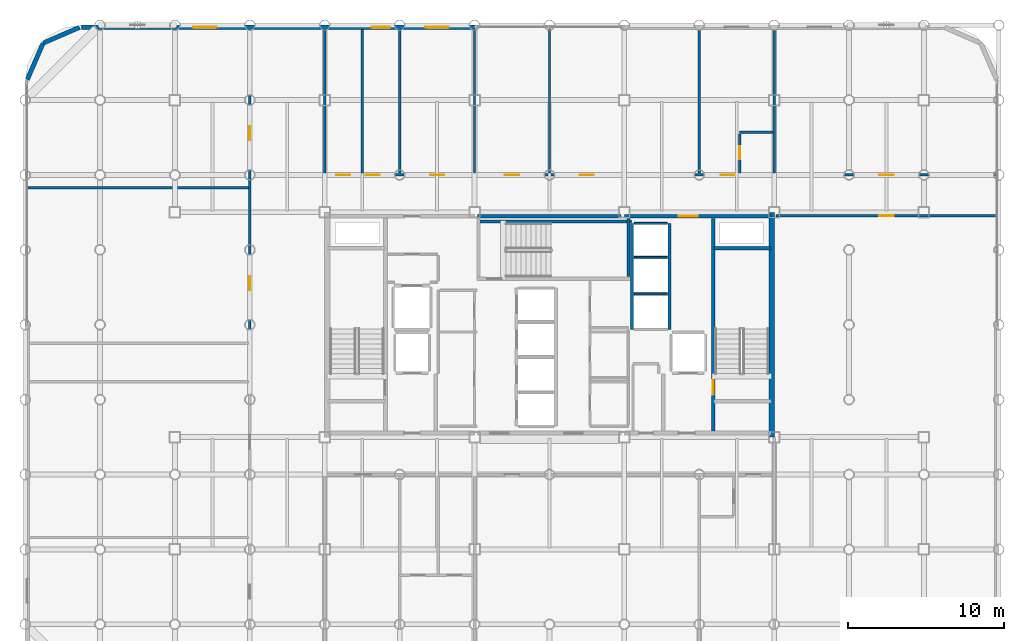
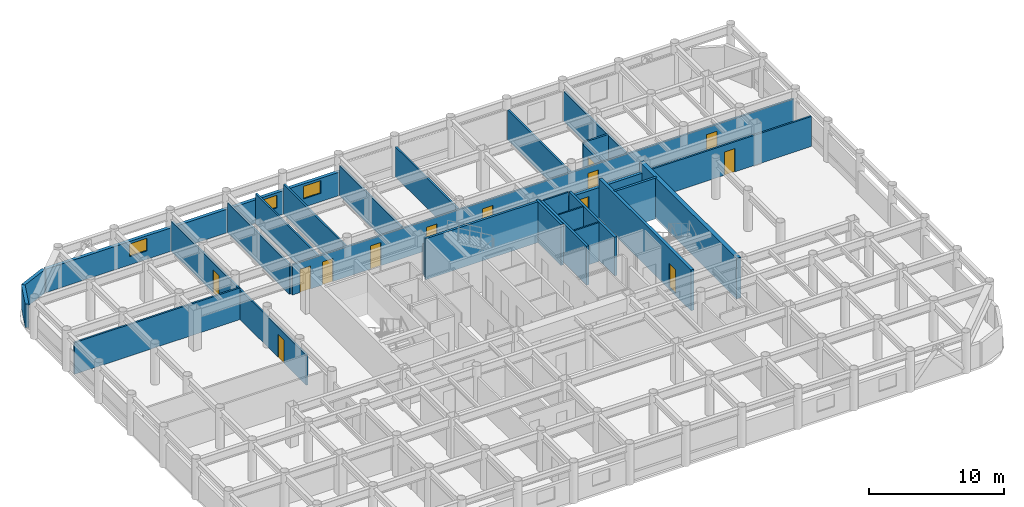
# One storey, part 18 of 20: 28 walls, 13 doors, 3 windows, 16 openings.
"""IFC4 building model written with IfcOpenShell, lengths in metres."""

from ifc_helpers import new_model, si_unit, direction, frame, frame_2d, origin, place, context, subcontext, project, spatial, rectangle, extrude, material, layer, layer_set, type_object, element, fill, save


model = new_model("IFC4")

# Units and contexts
model_context = context("Model", 3, precision=1e-05, world=origin(), true_north=direction((0.0, 1.0)))
body_context = subcontext(model_context, "Body", "Model", "MODEL_VIEW")
ifc_project = project(units=[si_unit("LENGTHUNIT", "METRE"), si_unit("AREAUNIT", "SQUARE_METRE"), si_unit("VOLUMEUNIT", "CUBIC_METRE"), si_unit("PLANEANGLEUNIT", "RADIAN"), si_unit("MASSUNIT", "GRAM", prefix="KILO")], contexts=[model_context])

# Site, building, storey
site_placement = place(None, origin())
site = spatial("IfcSite", under=ifc_project, at=site_placement, CompositionType="ELEMENT")
building_placement = place(site_placement, origin())
building = spatial("IfcBuilding", under=site, at=building_placement, Name="Kallvorn Hotel Tower", CompositionType="ELEMENT")
storey_placement = place(building_placement, frame((0.0, 0.0, 172.89990234375)))
storey = spatial("IfcBuildingStorey", under=building, at=storey_placement, Name="L43", CompositionType="ELEMENT", Elevation=172.89990234375)

# Wall
ifc_material_1 = material(Name="Concrete C50/60", Category="concrete")
ifc_layer_1 = layer(ifc_material_1, 0.35009765625)
ifc_layer_set_1 = layer_set([ifc_layer_1], Name="WL_CORE_350")
wall_type_1 = type_object("IfcWallType", Name="WL_CORE_350", PredefinedType="SHEAR", material=ifc_layer_set_1)
wall_1_placement = place(storey_placement, frame((14.239990234375, -7.199951171875, -0.179931640625), z_axis=(0.0, 0.0, 1.0), x_axis=(0.0, 1.0, 0.0)))
element("IfcWall", 1, at=wall_1_placement, inside=storey, type_object=wall_type_1, Name="L43 Core East Shear Wall", PredefinedType="SHEAR", context=body_context, shape_type="SweptSolid", body=[
    extrude(rectangle(XDim=14.39990234375, YDim=0.35009765625, at=frame_2d((7.199951171875, 0.0))), origin(), (0.0, 0.0, 1.0), 3.699951171875),
])

# Wall, openings, doors
ifc_material_2 = material(Name="Fire-rated double-layer acoustic gypsum drywall EI 60")
ifc_layer_2 = layer(ifc_material_2, 0.159912109375)
ifc_layer_set_2 = layer_set([ifc_layer_2], Name="WL_DEMISE_160")
wall_type_2 = type_object("IfcWallType", Name="WL_DEMISE_160", PredefinedType="PARTITIONING", material=ifc_layer_set_2)
wall_2_placement = place(storey_placement, frame((-14.320068359375, 9.60009765625, 0.0), z_axis=(0.0, 0.0, 1.0), x_axis=(1.0, 0.0, 0.0)))
wall_2 = element("IfcWall", 2, at=wall_2_placement, inside=storey, type_object=wall_type_2, Name="L43 Suite 4303 Standard Twin Room Partition", PredefinedType="PARTITIONING", context=body_context, shape_type="SweptSolid", body=[
    extrude(rectangle(XDim=42.949951171875, YDim=0.159912109375, at=frame_2d((21.47509765625, 0.0))), origin(), (0.0, 0.0, 1.0), 2.72021484375),
])
opening_1_placement = place(wall_2_placement, frame((35.469970703125, 0.0, 0.0)))
opening_1 = element("IfcOpeningElement", 3, at=opening_1_placement, cuts=wall_2, Name="Opening SVD1", PredefinedType="OPENING", context=body_context, shape_type="SweptSolid", body=[
    extrude(rectangle(XDim=0.89990234375, YDim=2.10009765625, at=frame_2d((0.449951171875, 1.050048828125))), frame((0.0, 0.094970703125, 0.0), z_axis=(0.0, -1.0, 0.0), x_axis=(1.0, 0.0, 0.0)), (0.0, 0.0, 1.0), 0.18994140625),
])
opening_2_placement = place(wall_2_placement, frame((0.669921875, 0.0, 0.0)))
opening_2 = element("IfcOpeningElement", 4, at=opening_2_placement, cuts=wall_2, Name="Opening SVD1", PredefinedType="OPENING", context=body_context, shape_type="SweptSolid", body=[
    extrude(rectangle(XDim=0.89990234375, YDim=2.10009765625, at=frame_2d((0.449951171875, 1.050048828125))), frame((0.0, 0.094970703125, 0.0), z_axis=(0.0, -1.0, 0.0), x_axis=(1.0, 0.0, 0.0)), (0.0, 0.0, 1.0), 0.18994140625),
])
opening_3_placement = place(wall_2_placement, frame((2.56005859375, 0.0, 0.0)))
opening_3 = element("IfcOpeningElement", 5, at=opening_3_placement, cuts=wall_2, Name="Opening SVD1", PredefinedType="OPENING", context=body_context, shape_type="SweptSolid", body=[
    extrude(rectangle(XDim=0.89990234375, YDim=2.10009765625, at=frame_2d((0.449951171875, 1.050048828125))), frame((0.0, 0.094970703125, 0.0), z_axis=(0.0, -1.0, 0.0), x_axis=(1.0, 0.0, 0.0)), (0.0, 0.0, 1.0), 0.18994140625),
])
opening_4_placement = place(wall_2_placement, frame((6.669921875, 0.0, 0.0)))
opening_4 = element("IfcOpeningElement", 6, at=opening_4_placement, cuts=wall_2, Name="Opening SVD1", PredefinedType="OPENING", context=body_context, shape_type="SweptSolid", body=[
    extrude(rectangle(XDim=0.89990234375, YDim=2.10009765625, at=frame_2d((0.449951171875, 1.050048828125))), frame((0.0, 0.094970703125, 0.0), z_axis=(0.0, -1.0, 0.0), x_axis=(1.0, 0.0, 0.0)), (0.0, 0.0, 1.0), 0.18994140625),
])
opening_5_placement = place(wall_2_placement, frame((11.469970703125, 0.0, 0.0)))
opening_5 = element("IfcOpeningElement", 7, at=opening_5_placement, cuts=wall_2, Name="Opening SVD1", PredefinedType="OPENING", context=body_context, shape_type="SweptSolid", body=[
    extrude(rectangle(XDim=0.89990234375, YDim=2.10009765625, at=frame_2d((0.449951171875, 1.050048828125))), frame((0.0, 0.094970703125, 0.0), z_axis=(0.0, -1.0, 0.0), x_axis=(1.0, 0.0, 0.0)), (0.0, 0.0, 1.0), 0.18994140625),
])
opening_6_placement = place(wall_2_placement, frame((16.27001953125, 0.0, 0.0)))
opening_6 = element("IfcOpeningElement", 8, at=opening_6_placement, cuts=wall_2, Name="Opening SVD1", PredefinedType="OPENING", context=body_context, shape_type="SweptSolid", body=[
    extrude(rectangle(XDim=0.89990234375, YDim=2.10009765625, at=frame_2d((0.449951171875, 1.050048828125))), frame((0.0, 0.094970703125, 0.0), z_axis=(0.0, -1.0, 0.0), x_axis=(1.0, 0.0, 0.0)), (0.0, 0.0, 1.0), 0.18994140625),
])
opening_7_placement = place(wall_2_placement, frame((25.2900390625, 0.0, 0.0)))
opening_7 = element("IfcOpeningElement", 9, at=opening_7_placement, cuts=wall_2, Name="Opening GD1", PredefinedType="OPENING", context=body_context, shape_type="SweptSolid", body=[
    extrude(rectangle(XDim=0.919921875, YDim=2.14990234375, at=frame_2d((0.4599609375, 1.074951171875))), frame((0.0, 0.094970703125, 0.0), z_axis=(0.0, -1.0, 0.0), x_axis=(1.0, 0.0, 0.0)), (0.0, 0.0, 1.0), 0.18994140625),
])
ifc_material_3 = material(Name="Solid-core walnut veneer fire-rated timber door leaf", Category="wood")
door_type_1 = type_object("IfcDoorType", Name="DR_GUEST_920x2150", OperationType="NOTDEFINED", PredefinedType="DOOR", material=ifc_material_3)
door_1_placement = place(opening_7_placement, origin())
door_1 = element("IfcDoor", 10, at=door_1_placement, inside=storey, type_object=door_type_1, Name="L43 Suite 4303 Standard Twin Room Door", OperationType="SINGLE_SWING_LEFT", OverallHeight=2.14990234375, OverallWidth=0.919921875, PredefinedType="DOOR", context=body_context, shape_type="SweptSolid", body=[
    extrude(rectangle(XDim=0.919921875, YDim=2.14990234375, at=frame_2d((0.4599609375, 1.074951171875))), frame((0.0, 0.02490234375, 0.0), z_axis=(0.0, -1.0, 0.0), x_axis=(1.0, 0.0, 0.0)), (0.0, 0.0, 1.0), 0.050048828125),
])
fill(opening_7, door_1)
ifc_material_4 = material(Name="Galvanised painted steel fire-rated door assembly", Category="steel")
door_type_2 = type_object("IfcDoorType", Name="DR_SERV_900x2100", OperationType="NOTDEFINED", PredefinedType="DOOR", material=ifc_material_4)
door_2_placement = place(opening_1_placement, origin())
door_2 = element("IfcDoor", 11, at=door_2_placement, inside=storey, type_object=door_type_2, Name="L43 L43 North-East Monserrate Banquet Hall Door", OperationType="SINGLE_SWING_LEFT", OverallHeight=2.10009765625, OverallWidth=0.89990234375, PredefinedType="DOOR", context=body_context, shape_type="SweptSolid", body=[
    extrude(rectangle(XDim=0.89990234375, YDim=2.10009765625, at=frame_2d((0.449951171875, 1.050048828125))), frame((0.0, 0.02490234375, 0.0), z_axis=(0.0, -1.0, 0.0), x_axis=(1.0, 0.0, 0.0)), (0.0, 0.0, 1.0), 0.050048828125),
])
fill(opening_1, door_2)
door_3_placement = place(opening_2_placement, origin())
door_3 = element("IfcDoor", 12, at=door_3_placement, inside=storey, type_object=door_type_2, Name="L43 Housekeeping and Linen Room Door", OperationType="SINGLE_SWING_LEFT", OverallHeight=2.10009765625, OverallWidth=0.89990234375, PredefinedType="DOOR", context=body_context, shape_type="SweptSolid", body=[
    extrude(rectangle(XDim=0.89990234375, YDim=2.10009765625, at=frame_2d((0.449951171875, 1.050048828125))), frame((0.0, 0.02490234375, 0.0), z_axis=(0.0, -1.0, 0.0), x_axis=(1.0, 0.0, 0.0)), (0.0, 0.0, 1.0), 0.050048828125),
])
fill(opening_2, door_3)
door_4_placement = place(opening_3_placement, origin())
door_4 = element("IfcDoor", 13, at=door_4_placement, inside=storey, type_object=door_type_2, Name="L43 Guest Tea and Refreshment Bar Door", OperationType="SINGLE_SWING_LEFT", OverallHeight=2.10009765625, OverallWidth=0.89990234375, PredefinedType="DOOR", context=body_context, shape_type="SweptSolid", body=[
    extrude(rectangle(XDim=0.89990234375, YDim=2.10009765625, at=frame_2d((0.449951171875, 1.050048828125))), frame((0.0, 0.02490234375, 0.0), z_axis=(0.0, -1.0, 0.0), x_axis=(1.0, 0.0, 0.0)), (0.0, 0.0, 1.0), 0.050048828125),
])
fill(opening_3, door_4)
door_5_placement = place(opening_4_placement, origin())
door_5 = element("IfcDoor", 14, at=door_5_placement, inside=storey, type_object=door_type_2, Name="L43 L43 Restaurant Culinary Catering Kitchen 2-1 Door", OperationType="SINGLE_SWING_RIGHT", OverallHeight=2.10009765625, OverallWidth=0.89990234375, PredefinedType="DOOR", context=body_context, shape_type="SweptSolid", body=[
    extrude(rectangle(XDim=0.89990234375, YDim=2.10009765625, at=frame_2d((0.449951171875, 1.050048828125))), frame((0.0, 0.02490234375, 0.0), z_axis=(0.0, -1.0, 0.0), x_axis=(1.0, 0.0, 0.0)), (0.0, 0.0, 1.0), 0.050048828125),
])
fill(opening_4, door_5)
door_6_placement = place(opening_5_placement, origin())
door_6 = element("IfcDoor", 15, at=door_6_placement, inside=storey, type_object=door_type_2, Name="L43 L43 Restaurant Culinary Catering Kitchen 2-2 Door", OperationType="SINGLE_SWING_LEFT", OverallHeight=2.10009765625, OverallWidth=0.89990234375, PredefinedType="DOOR", context=body_context, shape_type="SweptSolid", body=[
    extrude(rectangle(XDim=0.89990234375, YDim=2.10009765625, at=frame_2d((0.449951171875, 1.050048828125))), frame((0.0, 0.02490234375, 0.0), z_axis=(0.0, -1.0, 0.0), x_axis=(1.0, 0.0, 0.0)), (0.0, 0.0, 1.0), 0.050048828125),
])
fill(opening_5, door_6)
door_7_placement = place(opening_6_placement, origin())
door_7 = element("IfcDoor", 16, at=door_7_placement, inside=storey, type_object=door_type_2, Name="L43 L43 Curated Emerald Craft Retail Boutique 3 Door", OperationType="SINGLE_SWING_LEFT", OverallHeight=2.10009765625, OverallWidth=0.89990234375, PredefinedType="DOOR", context=body_context, shape_type="SweptSolid", body=[
    extrude(rectangle(XDim=0.89990234375, YDim=2.10009765625, at=frame_2d((0.449951171875, 1.050048828125))), frame((0.0, 0.02490234375, 0.0), z_axis=(0.0, -1.0, 0.0), x_axis=(1.0, 0.0, 0.0)), (0.0, 0.0, 1.0), 0.050048828125),
])
fill(opening_6, door_7)

# Walls
wall_3_placement = place(storey_placement, frame((12.18994140625, 12.320068359375, 0.0), z_axis=(0.0, 0.0, 1.0), x_axis=(1.0, 0.0, 0.0)))
element("IfcWall", 17, at=wall_3_placement, inside=storey, type_object=wall_type_2, Name="L43 Suite 4303 Standard Twin Room Partition", PredefinedType="PARTITIONING", context=body_context, shape_type="SweptSolid", body=[
    extrude(rectangle(XDim=2.130126953125, YDim=0.159912109375, at=frame_2d((1.06494140625, 0.0))), origin(), (0.0, 0.0, 1.0), 2.8701171875),
])
wall_4_placement = place(storey_placement, frame((9.60009765625, 9.719970703125, 0.0), z_axis=(0.0, 0.0, 1.0), x_axis=(0.0, 1.0, 0.0)))
element("IfcWall", 18, at=wall_4_placement, inside=storey, type_object=wall_type_2, Name="L43 Suite 4303 Standard Twin Room Partition", PredefinedType="PARTITIONING", context=body_context, shape_type="SweptSolid", body=[
    extrude(rectangle(XDim=9.18994140625, YDim=0.159912109375, at=frame_2d((4.594970703125, 0.0))), origin(), (0.0, 0.0, 1.0), 2.72021484375),
])

# Wall, opening, door
wall_5_placement = place(storey_placement, frame((12.18994140625, 9.719970703125, 0.0), z_axis=(0.0, 0.0, 1.0), x_axis=(0.0, 1.0, 0.0)))
wall_5 = element("IfcWall", 19, at=wall_5_placement, inside=storey, type_object=wall_type_2, Name="L43 Suite 4303 Standard Twin Room Partition", PredefinedType="PARTITIONING", context=body_context, shape_type="SweptSolid", body=[
    extrude(rectangle(XDim=2.51513671875, YDim=0.159912109375, at=frame_2d((1.257568359375, 0.0))), origin(), (0.0, 0.0, 1.0), 2.72021484375),
])
opening_8_placement = place(wall_5_placement, frame((0.8701171875, 0.0, 0.0)))
opening_8 = element("IfcOpeningElement", 20, at=opening_8_placement, cuts=wall_5, Name="Opening BD-I", PredefinedType="OPENING", context=body_context, shape_type="SweptSolid", body=[
    extrude(rectangle(XDim=0.860107421875, YDim=2.10009765625, at=frame_2d((0.43017578125, 1.050048828125))), frame((0.0, 0.094970703125, 0.0), z_axis=(0.0, -1.0, 0.0), x_axis=(1.0, 0.0, 0.0)), (0.0, 0.0, 1.0), 0.18994140625),
])
ifc_material_5 = material(Name="Solid-core walnut veneer fire-rated timber door leaf", Category="wood")
door_type_3 = type_object("IfcDoorType", Name="DR_BATH_860x2100", OperationType="NOTDEFINED", PredefinedType="DOOR", material=ifc_material_5)
door_8_placement = place(opening_8_placement, origin())
door_8 = element("IfcDoor", 21, at=door_8_placement, inside=storey, type_object=door_type_3, Name="L43 Suite 4303 En-Suite Bathroom Door", OperationType="SINGLE_SWING_LEFT", OverallHeight=2.10009765625, OverallWidth=0.860107421875, PredefinedType="DOOR", context=body_context, shape_type="SweptSolid", body=[
    extrude(rectangle(XDim=0.860107421875, YDim=2.10009765625, at=frame_2d((0.43017578125, 1.050048828125))), frame((0.0, 0.02490234375, 0.0), z_axis=(0.0, -1.0, 0.0), x_axis=(1.0, 0.0, 0.0)), (0.0, 0.0, 1.0), 0.050048828125),
])
fill(opening_8, door_8)

# Walls
wall_6_placement = place(storey_placement, frame((14.39990234375, 9.719970703125, 0.0), z_axis=(0.0, 0.0, 1.0), x_axis=(0.0, 1.0, 0.0)))
element("IfcWall", 22, at=wall_6_placement, inside=storey, type_object=wall_type_2, Name="L43 Suite 4303 Standard Twin Room Partition", PredefinedType="PARTITIONING", context=body_context, shape_type="SweptSolid", body=[
    extrude(rectangle(XDim=9.18994140625, YDim=0.159912109375, at=frame_2d((4.594970703125, 0.0))), origin(), (0.0, 0.0, 1.0), 2.72021484375),
])
ifc_material_6 = material(Name="Precast basalt-clad insulated concrete wall C40/50", Category="masonry")
ifc_layer_3 = layer(ifc_material_6, 0.280029296875)
ifc_layer_set_3 = layer_set([ifc_layer_3], Name="WL_EXT_LOGGIA_280")
wall_type_3 = type_object("IfcWallType", Name="WL_EXT_LOGGIA_280", PredefinedType="SOLIDWALL", material=ifc_layer_set_3)
wall_7_placement = place(storey_placement, frame((-30.120849609375, 19.057861328125, 0.0), z_axis=(0.0, 0.0, 1.0), x_axis=(-0.917060872934, -0.398747232384, 0.0)))
element("IfcWall", 23, at=wall_7_placement, inside=storey, type_object=wall_type_3, Name="L43 Rounded Corner Exterior Wall NW1", PredefinedType="SOLIDWALL", context=body_context, shape_type="SweptSolid", body=[
    extrude(rectangle(XDim=2.5361328125, YDim=0.280029296875, at=frame_2d((1.26806640625, 0.0))), origin(), (0.0, 0.0, 1.0), 2.1201171875),
])
wall_8_placement = place(storey_placement, frame((-32.446533203125, 18.046630859375, 0.0), z_axis=(0.0, 0.0, 1.0), x_axis=(-0.398792985289, -0.917040977756, 0.0)))
element("IfcWall", 24, at=wall_8_placement, inside=storey, type_object=wall_type_3, Name="L43 Rounded Corner Exterior Wall NW2", PredefinedType="SOLIDWALL", context=body_context, shape_type="SweptSolid", body=[
    extrude(rectangle(XDim=2.536376953125, YDim=0.280029296875, at=frame_2d((1.26806640625, 0.0))), origin(), (0.0, 0.0, 1.0), 2.1201171875),
])

# Wall, openings, windows
wall_9_placement = place(storey_placement, frame((-30.0, 19.06005859375, 0.0), z_axis=(0.0, 0.0, 1.0), x_axis=(1.0, 0.0, 0.0)))
wall_9 = element("IfcWall", 25, at=wall_9_placement, inside=storey, type_object=wall_type_3, Name="L43 Exterior Envelope Wall EW-L43-NW", PredefinedType="SOLIDWALL", context=body_context, shape_type="SweptSolid", body=[
    extrude(rectangle(XDim=25.25, YDim=0.280029296875, at=frame_2d((12.625, 0.0))), origin(), (0.0, 0.0, 1.0), 2.1201171875),
])
opening_9_placement = place(wall_9_placement, frame((7.1630859375, 0.0, 0.75)))
opening_9 = element("IfcOpeningElement", 26, at=opening_9_placement, cuts=wall_9, Name="Opening W05A", PredefinedType="OPENING", context=body_context, shape_type="SweptSolid", body=[
    extrude(rectangle(XDim=1.5, YDim=1.14990234375, at=frame_2d((0.75, 0.574951171875))), frame((0.0, 0.155029296875, 0.0), z_axis=(0.0, -1.0, 0.0), x_axis=(1.0, 0.0, 0.0)), (0.0, 0.0, 1.0), 0.31005859375),
])
opening_10_placement = place(wall_9_placement, frame((18.60009765625, 0.0, 0.75)))
opening_10 = element("IfcOpeningElement", 27, at=opening_10_placement, cuts=wall_9, Name="Opening W06A", PredefinedType="OPENING", context=body_context, shape_type="SweptSolid", body=[
    extrude(rectangle(XDim=1.199951171875, YDim=1.14990234375, at=frame_2d((0.60009765625, 0.574951171875))), frame((0.0, 0.155029296875, 0.0), z_axis=(0.0, -1.0, 0.0), x_axis=(1.0, 0.0, 0.0)), (0.0, 0.0, 1.0), 0.31005859375),
])
opening_11_placement = place(wall_9_placement, frame((22.050048828125, 0.0, 0.75)))
opening_11 = element("IfcOpeningElement", 28, at=opening_11_placement, cuts=wall_9, Name="Opening W05A", PredefinedType="OPENING", context=body_context, shape_type="SweptSolid", body=[
    extrude(rectangle(XDim=1.5, YDim=1.14990234375, at=frame_2d((0.75, 0.574951171875))), frame((0.0, 0.155029296875, 0.0), z_axis=(0.0, -1.0, 0.0), x_axis=(1.0, 0.0, 0.0)), (0.0, 0.0, 1.0), 0.31005859375),
])
ifc_material_7 = material(Name="Triple-glazed low-e acoustic solar-control dark glass", Category="glass")
window_type_1 = type_object("IfcWindowType", Name="WN_HTL_1200x1150", PartitioningType="SINGLE_PANEL", PredefinedType="WINDOW", material=ifc_material_7)
window_1_placement = place(opening_10_placement, origin())
window_1 = element("IfcWindow", 29, at=window_1_placement, inside=storey, type_object=window_type_1, Name="L43 Guestroom Exterior Window 09", OverallHeight=1.14990234375, OverallWidth=1.199951171875, PartitioningType="SINGLE_PANEL", PredefinedType="WINDOW", context=body_context, shape_type="SweptSolid", body=[
    extrude(rectangle(XDim=1.199951171875, YDim=1.14990234375, at=frame_2d((0.60009765625, 0.574951171875))), frame((0.0, 0.030029296875, 0.0), z_axis=(0.0, -1.0, 0.0), x_axis=(1.0, 0.0, 0.0)), (0.0, 0.0, 1.0), 0.06005859375),
])
fill(opening_10, window_1)
ifc_material_8 = material(Name="Double-glazed low-e solar-control dark glass", Category="glass")
window_type_2 = type_object("IfcWindowType", Name="WN_HTL_1500x1150", PartitioningType="SINGLE_PANEL", PredefinedType="WINDOW", material=ifc_material_8)
window_2_placement = place(opening_9_placement, origin())
window_2 = element("IfcWindow", 30, at=window_2_placement, inside=storey, type_object=window_type_2, Name="L43 Guestroom Exterior Window 03", OverallHeight=1.14990234375, OverallWidth=1.5, PartitioningType="SINGLE_PANEL", PredefinedType="WINDOW", context=body_context, shape_type="SweptSolid", body=[
    extrude(rectangle(XDim=1.5, YDim=1.14990234375, at=frame_2d((0.75, 0.574951171875))), frame((0.0, 0.030029296875, 0.0), z_axis=(0.0, -1.0, 0.0), x_axis=(1.0, 0.0, 0.0)), (0.0, 0.0, 1.0), 0.06005859375),
])
fill(opening_9, window_2)
window_3_placement = place(opening_11_placement, origin())
window_3 = element("IfcWindow", 31, at=window_3_placement, inside=storey, type_object=window_type_2, Name="L43 Guestroom Exterior Window 10", OverallHeight=1.14990234375, OverallWidth=1.5, PartitioningType="SINGLE_PANEL", PredefinedType="WINDOW", context=body_context, shape_type="SweptSolid", body=[
    extrude(rectangle(XDim=1.5, YDim=1.14990234375, at=frame_2d((0.75, 0.574951171875))), frame((0.0, 0.030029296875, 0.0), z_axis=(0.0, -1.0, 0.0), x_axis=(1.0, 0.0, 0.0)), (0.0, 0.0, 1.0), 0.06005859375),
])
fill(opening_11, window_3)

# Walls
ifc_material_9 = material(Name="Concrete C40/50", Category="concrete")
ifc_layer_4 = layer(ifc_material_9, 0.199951171875)
ifc_layer_set_4 = layer_set([ifc_layer_4], Name="WL_HOIST_200")
wall_type_4 = type_object("IfcWallType", Name="WL_HOIST_200", PredefinedType="SOLIDWALL", material=ifc_layer_set_4)
wall_10_placement = place(storey_placement, frame((10.550048828125, 4.89990234375, -0.179931640625), z_axis=(0.0, 0.0, 1.0), x_axis=(1.0, 0.0, 0.0)))
element("IfcWall", 32, at=wall_10_placement, inside=storey, type_object=wall_type_4, Name="L43 Stair ST2 North Wall", PredefinedType="SOLIDWALL", context=body_context, shape_type="SweptSolid", body=[
    extrude(rectangle(XDim=3.64990234375, YDim=0.199951171875, at=frame_2d((1.824951171875, 0.0))), origin(), (0.0, 0.0, 1.0), 3.699951171875),
])
wall_11_placement = place(storey_placement, frame((-4.64990234375, 6.610107421875, -0.179931640625), z_axis=(0.0, 0.0, 1.0), x_axis=(1.0, 0.0, 0.0)))
element("IfcWall", 33, at=wall_11_placement, inside=storey, type_object=wall_type_4, Name="L43 Stair ST3 Shaft North Wall", PredefinedType="SOLIDWALL", context=body_context, shape_type="SweptSolid", body=[
    extrude(rectangle(XDim=9.89990234375, YDim=0.199951171875, at=frame_2d((4.949951171875, 0.0))), origin(), (0.0, 0.0, 1.0), 3.699951171875),
])
wall_12_placement = place(storey_placement, frame((5.06005859375, 3.080078125, -0.179931640625), z_axis=(0.0, 0.0, 1.0), x_axis=(0.0, 1.0, 0.0)))
element("IfcWall", 34, at=wall_12_placement, inside=storey, type_object=wall_type_4, Name="L43 Stair ST3 East Wall", PredefinedType="SOLIDWALL", context=body_context, shape_type="SweptSolid", body=[
    extrude(rectangle(XDim=3.739990234375, YDim=0.199951171875, at=frame_2d((1.8701171875, 0.0))), origin(), (0.0, 0.0, 1.0), 3.699951171875),
])
for number, where, z_axis, x_axis, name in (
    (35, (7.699951171875, -0.300048828125, 0.0), (0.0, 0.0, 1.0), (0.0, 1.0, 0.0), "L43 Lift Bank OBS Landing Wall"),
    (36, (5.300048828125, -0.300048828125, 0.0), (0.0, 0.0, 1.0), (0.0, 1.0, 0.0), "L43 Lift Bank OBS Rear Shaft Wall"),
):
    element("IfcWall", number, at=place(storey_placement, frame(where, z_axis=z_axis, x_axis=x_axis)), inside=storey, type_object=wall_type_4, Name=name, PredefinedType="SOLIDWALL", context=body_context, shape_type="SweptSolid", body=[
        extrude(rectangle(XDim=6.800048828125, YDim=0.199951171875, at=frame_2d((3.39990234375, 0.0))), origin(), (0.0, 0.0, 1.0), 3.52001953125),
    ])
ifc_material_10 = material(Name="Fire-rated double-layer acoustic gypsum drywall EI 60")
ifc_layer_5 = layer(ifc_material_10, 0.1201171875)
ifc_layer_set_5 = layer_set([ifc_layer_5], Name="WL_INT_120")
wall_type_5 = type_object("IfcWallType", Name="WL_INT_120", PredefinedType="PARTITIONING", material=ifc_layer_set_5)
for number, where, z_axis, x_axis, name in (
    (37, (5.43994140625, 1.97509765625, 0.0), (0.0, 0.0, 1.0), (1.0, 0.0, 0.0), "L43 OB-01 Hoistway Divider"),
    (38, (5.43994140625, 4.324951171875, 0.0), (0.0, 0.0, 1.0), (1.0, 0.0, 0.0), "L43 OB-02 Hoistway Divider"),
    (39, (5.43994140625, 6.5, 0.0), (0.0, 0.0, 1.0), (1.0, 0.0, 0.0), "L43 OB-03 Hoistway Divider"),
):
    element("IfcWall", number, at=place(storey_placement, frame(where, z_axis=z_axis, x_axis=x_axis)), inside=storey, type_object=wall_type_5, Name=name, PredefinedType="PARTITIONING", context=body_context, shape_type="SweptSolid", body=[
        extrude(rectangle(XDim=2.1201171875, YDim=0.1201171875, at=frame_2d((1.06005859375, 0.0))), origin(), (0.0, 0.0, 1.0), 3.52001953125),
    ])

# Wall, opening, door
ifc_material_11 = material(Name="Fire-rated double-layer acoustic gypsum drywall EI 60")
ifc_layer_6 = layer(ifc_material_11, 0.14990234375)
ifc_layer_set_6 = layer_set([ifc_layer_6], Name="WL_PART_150")
wall_type_6 = type_object("IfcWallType", Name="WL_PART_150", PredefinedType="PARTITIONING", material=ifc_layer_set_6)
wall_13_placement = place(storey_placement, frame((14.52001953125, 6.97998046875, 0.0), z_axis=(0.0, 0.0, 1.0), x_axis=(1.0, 0.0, 0.0)))
wall_13 = element("IfcWall", 40, at=wall_13_placement, inside=storey, type_object=wall_type_6, Name="L43 L43 South-East Sommelier Wine Bar Partition", PredefinedType="PARTITIONING", context=body_context, shape_type="SweptSolid", body=[
    extrude(rectangle(XDim=14.10986328125, YDim=0.14990234375, at=frame_2d((7.054931640625, 0.0))), origin(), (0.0, 0.0, 1.0), 2.72021484375),
])
opening_12_placement = place(wall_13_placement, frame((6.6298828125, 0.0, 0.0)))
opening_12 = element("IfcOpeningElement", 41, at=opening_12_placement, cuts=wall_13, Name="Opening SVD1", PredefinedType="OPENING", context=body_context, shape_type="SweptSolid", body=[
    extrude(rectangle(XDim=0.89990234375, YDim=2.10009765625, at=frame_2d((0.449951171875, 1.050048828125))), frame((0.0, 0.08984375, 0.0), z_axis=(0.0, -1.0, 0.0), x_axis=(1.0, 0.0, 0.0)), (0.0, 0.0, 1.0), 0.179931640625),
])
door_9_placement = place(opening_12_placement, origin())
door_9 = element("IfcDoor", 42, at=door_9_placement, inside=storey, type_object=door_type_2, Name="L43 L43 South-East Sommelier Wine Bar Door", OperationType="SINGLE_SWING_RIGHT", OverallHeight=2.10009765625, OverallWidth=0.89990234375, PredefinedType="DOOR", context=body_context, shape_type="SweptSolid", body=[
    extrude(rectangle(XDim=0.89990234375, YDim=2.10009765625, at=frame_2d((0.449951171875, 1.050048828125))), frame((0.0, 0.02490234375, 0.0), z_axis=(0.0, -1.0, 0.0), x_axis=(1.0, 0.0, 0.0)), (0.0, 0.0, 1.0), 0.050048828125),
])
fill(opening_12, door_9)

# Wall
wall_14_placement = place(storey_placement, frame((-33.429931640625, 8.784912109375, 0.0), z_axis=(0.0, 0.0, 1.0), x_axis=(1.0, 0.0, 0.0)))
element("IfcWall", 43, at=wall_14_placement, inside=storey, type_object=wall_type_6, Name="L43 L43 North-West Facade Fitness Gymnasium Partition", PredefinedType="PARTITIONING", context=body_context, shape_type="SweptSolid", body=[
    extrude(rectangle(XDim=14.14990234375, YDim=0.14990234375, at=frame_2d((7.074951171875, 0.0))), origin(), (0.0, 0.0, 1.0), 2.8701171875),
])

# Wall, openings, doors
wall_15_placement = place(storey_placement, frame((-19.199951171875, -1.094970703125, 0.0), z_axis=(0.0, 0.0, 1.0), x_axis=(0.0, 1.0, 0.0)))
wall_15 = element("IfcWall", 44, at=wall_15_placement, inside=storey, type_object=wall_type_6, Name="L43 L43 North-West Spine Pastry Cafe Partition", PredefinedType="PARTITIONING", context=body_context, shape_type="SweptSolid", body=[
    extrude(rectangle(XDim=20.0048828125, YDim=0.14990234375, at=frame_2d((10.00244140625, 0.0))), origin(), (0.0, 0.0, 1.0), 2.72021484375),
])
opening_13_placement = place(wall_15_placement, frame((3.291259765625, 0.0, 0.0)))
opening_13 = element("IfcOpeningElement", 45, at=opening_13_placement, cuts=wall_15, Name="Opening SVD1", PredefinedType="OPENING", context=body_context, shape_type="SweptSolid", body=[
    extrude(rectangle(XDim=0.89990234375, YDim=2.10009765625, at=frame_2d((0.449951171875, 1.050048828125))), frame((0.0, 0.08984375, 0.0), z_axis=(0.0, -1.0, 0.0), x_axis=(1.0, 0.0, 0.0)), (0.0, 0.0, 1.0), 0.179931640625),
])
opening_14_placement = place(wall_15_placement, frame((12.90869140625, 0.0, 0.0)))
opening_14 = element("IfcOpeningElement", 46, at=opening_14_placement, cuts=wall_15, Name="Opening SVD1", PredefinedType="OPENING", context=body_context, shape_type="SweptSolid", body=[
    extrude(rectangle(XDim=0.89990234375, YDim=2.10009765625, at=frame_2d((0.449951171875, 1.050048828125))), frame((0.0, 0.08984375, 0.0), z_axis=(0.0, -1.0, 0.0), x_axis=(1.0, 0.0, 0.0)), (0.0, 0.0, 1.0), 0.179931640625),
])
door_10_placement = place(opening_13_placement, origin())
door_10 = element("IfcDoor", 47, at=door_10_placement, inside=storey, type_object=door_type_2, Name="L43 L43 North-West Spine Pastry Cafe Door", OperationType="SINGLE_SWING_LEFT", OverallHeight=2.10009765625, OverallWidth=0.89990234375, PredefinedType="DOOR", context=body_context, shape_type="SweptSolid", body=[
    extrude(rectangle(XDim=0.89990234375, YDim=2.10009765625, at=frame_2d((0.449951171875, 1.050048828125))), frame((0.0, 0.02490234375, 0.0), z_axis=(0.0, -1.0, 0.0), x_axis=(1.0, 0.0, 0.0)), (0.0, 0.0, 1.0), 0.050048828125),
])
fill(opening_13, door_10)
door_11_placement = place(opening_14_placement, origin())
door_11 = element("IfcDoor", 48, at=door_11_placement, inside=storey, type_object=door_type_2, Name="L43 L43 North-West Facade Fitness Gymnasium Door", OperationType="SINGLE_SWING_LEFT", OverallHeight=2.10009765625, OverallWidth=0.89990234375, PredefinedType="DOOR", context=body_context, shape_type="SweptSolid", body=[
    extrude(rectangle(XDim=0.89990234375, YDim=2.10009765625, at=frame_2d((0.449951171875, 1.050048828125))), frame((0.0, 0.02490234375, 0.0), z_axis=(0.0, -1.0, 0.0), x_axis=(1.0, 0.0, 0.0)), (0.0, 0.0, 1.0), 0.050048828125),
])
fill(opening_14, door_11)

# Walls
for number, where, z_axis, x_axis, name in (
    (49, (-14.39990234375, 9.719970703125, 0.0), (0.0, 0.0, 1.0), (0.0, 1.0, 0.0), "L43 Housekeeping and Linen Room Partition"),
    (50, (-12.0, 9.719970703125, 0.0), (0.0, 0.0, 1.0), (0.0, 1.0, 0.0), "L43 Guest Tea and Refreshment Bar Partition"),
    (51, (-9.60009765625, 9.719970703125, 0.0), (0.0, 0.0, 1.0), (0.0, 1.0, 0.0), "L43 Guest Tea and Refreshment Bar Partition"),
    (52, (-4.800048828125, 9.719970703125, 0.0), (0.0, 0.0, 1.0), (0.0, 1.0, 0.0), "L43 L43 Restaurant Culinary Catering Kitchen 2-1 Partition"),
):
    element("IfcWall", number, at=place(storey_placement, frame(where, z_axis=z_axis, x_axis=x_axis)), inside=storey, type_object=wall_type_6, Name=name, PredefinedType="PARTITIONING", context=body_context, shape_type="SweptSolid", body=[
        extrude(rectangle(XDim=9.18994140625, YDim=0.14990234375, at=frame_2d((4.594970703125, 0.0))), origin(), (0.0, 0.0, 1.0), 2.72021484375),
    ])
wall_16_placement = place(storey_placement, frame((0.0, 9.719970703125, 0.0), z_axis=(0.0, 0.0, 1.0), x_axis=(0.0, 1.0, 0.0)))
element("IfcWall", 53, at=wall_16_placement, inside=storey, type_object=wall_type_6, Name="L43 L43 Curated Emerald Craft Retail Boutique 3 Partition", PredefinedType="PARTITIONING", context=body_context, shape_type="SweptSolid", body=[
    extrude(rectangle(XDim=9.275146484375, YDim=0.14990234375, at=frame_2d((4.6376953125, 0.0))), origin(), (0.0, 0.0, 1.0), 2.72021484375),
])
ifc_material_12 = material(Name="Concrete C40/50", Category="concrete")
ifc_layer_7 = layer(ifc_material_12, 0.25)
ifc_layer_set_7 = layer_set([ifc_layer_7], Name="WL_SHAFT_250")
wall_type_7 = type_object("IfcWallType", Name="WL_SHAFT_250", PredefinedType="SOLIDWALL", material=ifc_layer_set_7)
wall_17_placement = place(storey_placement, frame((-4.60009765625, 6.949951171875, 0.0), z_axis=(0.0, 0.0, 1.0), x_axis=(1.0, 0.0, 0.0)))
element("IfcWall", 54, at=wall_17_placement, inside=storey, type_object=wall_type_7, Name="L43 Core North-Central Wall", PredefinedType="SOLIDWALL", context=body_context, shape_type="SweptSolid", body=[
    extrude(rectangle(XDim=9.2001953125, YDim=0.25, at=frame_2d((4.60009765625, 0.0))), origin(), (0.0, 0.0, 1.0), 2.72021484375),
])

# Wall, opening, door
wall_18_placement = place(storey_placement, frame((4.800048828125, 6.949951171875, 0.0), z_axis=(0.0, 0.0, 1.0), x_axis=(1.0, 0.0, 0.0)))
wall_18 = element("IfcWall", 55, at=wall_18_placement, inside=storey, type_object=wall_type_7, Name="L43 Core North-East Wall", PredefinedType="SOLIDWALL", context=body_context, shape_type="SweptSolid", body=[
    extrude(rectangle(XDim=9.39990234375, YDim=0.25, at=frame_2d((4.699951171875, 0.0))), origin(), (0.0, 0.0, 1.0), 2.72021484375),
])
opening_15_placement = place(wall_18_placement, frame((3.5, 0.0, 0.0)))
opening_15 = element("IfcOpeningElement", 56, at=opening_15_placement, cuts=wall_18, Name="Opening FD2", PredefinedType="OPENING", context=body_context, shape_type="SweptSolid", body=[
    extrude(rectangle(XDim=1.199951171875, YDim=2.199951171875, at=frame_2d((0.60009765625, 1.10009765625))), frame((0.0, 0.139892578125, 0.0), z_axis=(0.0, -1.0, 0.0), x_axis=(1.0, 0.0, 0.0)), (0.0, 0.0, 1.0), 0.280029296875),
])
ifc_material_13 = material(Name="Galvanised painted steel fire-rated door assembly", Category="steel")
door_type_4 = type_object("IfcDoorType", Name="DR_LOBBY_1200x2200", OperationType="DOUBLE_DOOR_SINGLE_SWING", PredefinedType="DOOR", material=ifc_material_13)
door_12_placement = place(opening_15_placement, origin())
door_12 = element("IfcDoor", 57, at=door_12_placement, inside=storey, type_object=door_type_4, Name="L43 Observatory Shuttle Lobby Door", OperationType="DOUBLE_DOOR_SINGLE_SWING", OverallHeight=2.199951171875, OverallWidth=1.199951171875, PredefinedType="DOOR", context=body_context, shape_type="SweptSolid", body=[
    extrude(rectangle(XDim=1.199951171875, YDim=2.199951171875, at=frame_2d((0.60009765625, 1.10009765625))), frame((0.0, 0.02490234375, 0.0), z_axis=(0.0, -1.0, 0.0), x_axis=(1.0, 0.0, 0.0)), (0.0, 0.0, 1.0), 0.050048828125),
])
fill(opening_15, door_12)

wall_19_placement = place(storey_placement, frame((10.5, -6.820068359375, -0.179931640625), z_axis=(0.0, 0.0, 1.0), x_axis=(0.0, 1.0, 0.0)))
wall_19 = element("IfcWall", 58, at=wall_19_placement, inside=storey, type_object=wall_type_7, Name="L43 Stair ST2 Shaft Wall", PredefinedType="SOLIDWALL", context=body_context, shape_type="SweptSolid", body=[
    extrude(rectangle(XDim=13.64013671875, YDim=0.25, at=frame_2d((6.820068359375, 0.0))), origin(), (0.0, 0.0, 1.0), 3.699951171875),
])
opening_16_placement = place(wall_19_placement, frame((2.320068359375, 0.0, 0.179931640625)))
opening_16 = element("IfcOpeningElement", 59, at=opening_16_placement, cuts=wall_19, Name="Opening SD1", PredefinedType="OPENING", context=body_context, shape_type="SweptSolid", body=[
    extrude(rectangle(XDim=0.949951171875, YDim=2.14990234375, at=frame_2d((0.47509765625, 1.074951171875))), frame((0.0, 0.139892578125, 0.0), z_axis=(0.0, -1.0, 0.0), x_axis=(1.0, 0.0, 0.0)), (0.0, 0.0, 1.0), 0.280029296875),
])
ifc_material_14 = material(Name="Galvanised painted steel fire-rated door assembly", Category="steel")
door_type_5 = type_object("IfcDoorType", Name="DR_STAIR_950x2150", OperationType="NOTDEFINED", PredefinedType="DOOR", material=ifc_material_14)
door_13_placement = place(opening_16_placement, origin())
door_13 = element("IfcDoor", 60, at=door_13_placement, inside=storey, type_object=door_type_5, Name="L43 Exit Stair ST2 Fire Door", OperationType="SINGLE_SWING_RIGHT", OverallHeight=2.14990234375, OverallWidth=0.949951171875, PredefinedType="DOOR", context=body_context, shape_type="SweptSolid", body=[
    extrude(rectangle(XDim=0.949951171875, YDim=2.14990234375, at=frame_2d((0.47509765625, 1.074951171875))), frame((0.0, 0.02490234375, 0.0), z_axis=(0.0, -1.0, 0.0), x_axis=(1.0, 0.0, 0.0)), (0.0, 0.0, 1.0), 0.050048828125),
])
fill(opening_16, door_13)

save(model, "model.ifc")
